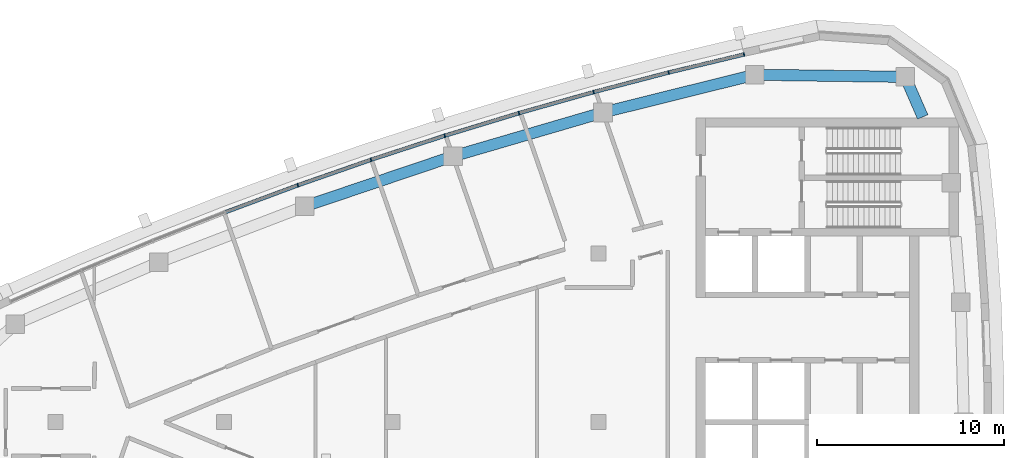
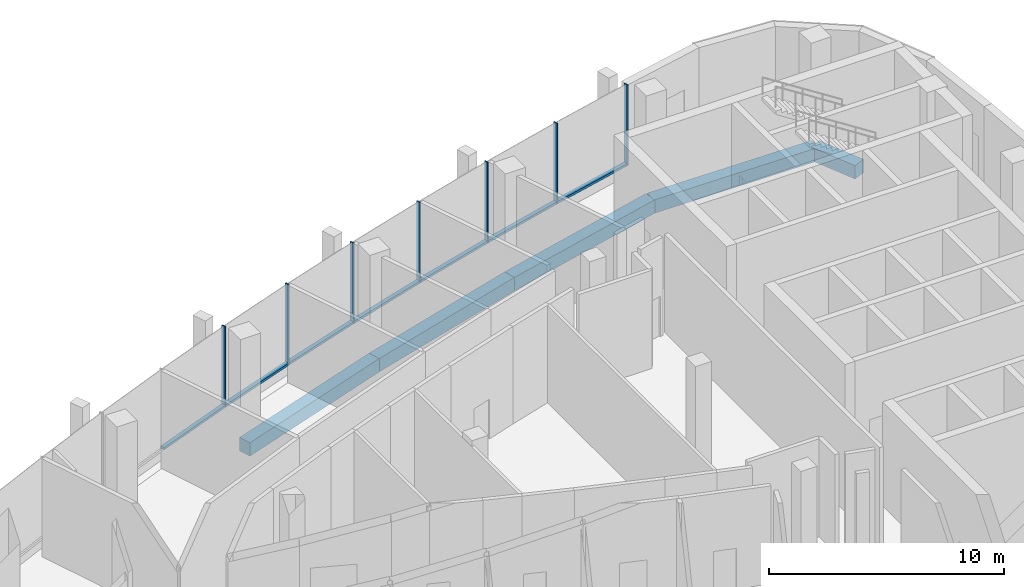
# One storey, part 5 of 15: 14 members, 5 beams, 4 elements without a shape of their own.
"""IFC4 building model written with IfcOpenShell, lengths in metres."""

from ifc_helpers import new_model, si_unit, direction, frame, origin, origin_2d, place, context, subcontext, project, spatial, rectangle, extrude, material, layer, layer_set, material_profile, profile_set, type_object, element, aggregate, save


model = new_model("IFC4")

# Units and contexts
model_context = context("Model", 3, precision=1e-05, world=origin(), true_north=direction((0.0, 1.0)))
body_context = subcontext(model_context, "Body", "Model", "MODEL_VIEW")
ifc_project = project(units=[si_unit("LENGTHUNIT", "METRE"), si_unit("AREAUNIT", "SQUARE_METRE"), si_unit("VOLUMEUNIT", "CUBIC_METRE"), si_unit("PLANEANGLEUNIT", "RADIAN"), si_unit("MASSUNIT", "GRAM", prefix="KILO")], contexts=[model_context])

# Site, building, storey
site_placement = place(None, origin())
site = spatial("IfcSite", under=ifc_project, at=site_placement, CompositionType="ELEMENT")
building_placement = place(site_placement, origin())
building = spatial("IfcBuilding", under=site, at=building_placement, Name="Ostrand Prow Hotel Tower", CompositionType="ELEMENT")
storey_placement = place(building_placement, frame((0.0, 0.0, 313.199951171875)))
storey = spatial("IfcBuildingStorey", under=building, at=storey_placement, Name="C2", CompositionType="ELEMENT", Elevation=313.199951171875)

# Beams
ifc_material_1 = material(Name="Concrete C40/50", Category="concrete")
ifc_material_profile_1 = material_profile(ifc_material_1, rectangle(XDim=0.60009765625, YDim=0.699951171875, at=origin_2d()), Name="RC 600x700")
ifc_profile_set_1 = profile_set([ifc_material_profile_1], Name="Concrete C40/50")
beam_type = type_object("IfcBeamType", Name="Edge beam 600x700 C40/50", PredefinedType="SPANDREL", material=ifc_profile_set_1)
beam_1_placement = place(storey_placement, frame((62.304931640625, 16.300048828125, -0.64990234375), z_axis=(-0.398863844187, 0.91701016014, 0.0), x_axis=(-0.91701016014, -0.398863844187, 0.0)))
element("IfcBeam", 1, at=beam_1_placement, inside=storey, type_object=beam_type, Name="Edge beam B5-NE", PredefinedType="SPANDREL", context=body_context, shape_type="SweptSolid", body=[
    extrude(rectangle(XDim=0.60009765625, YDim=0.699951171875, at=origin_2d()), origin(), (0.0, 0.0, 1.0), 2.333251953125),
])
beam_2_placement = place(storey_placement, frame((61.374267578125, 18.439697265625, -0.64990234375), z_axis=(-0.999900689486, 0.014092947356, 0.0), x_axis=(-0.014092947356, -0.999900689486, 0.0)))
element("IfcBeam", 2, at=beam_2_placement, inside=storey, type_object=beam_type, Name="Edge beam NE-N1", PredefinedType="SPANDREL", context=body_context, shape_type="SweptSolid", body=[
    extrude(rectangle(XDim=0.60009765625, YDim=0.699951171875, at=origin_2d()), origin(), (0.0, 0.0, 1.0), 8.0380859375),
])
for number, where, z_axis, x_axis, name in (
    (3, (53.3369140625, 18.552978515625, -0.64990234375), (-0.970456465292, -0.241276291775, 0.0), (0.241276291775, -0.970456465292, 0.0), "Edge beam N1-N2"),
    (4, (45.234619140625, 16.53857421875, -0.64990234375), (-0.959821966031, -0.280609681809, 0.0), (0.280609681809, -0.959821966031, 0.0), "Edge beam N2-N3"),
    (5, (37.22119140625, 14.19580078125, -0.64990234375), (-0.947575089419, -0.319533174981, 0.0), (0.319533174981, -0.947575089419, 0.0), "Edge beam N3-N4"),
):
    element("IfcBeam", number, at=place(storey_placement, frame(where, z_axis=z_axis, x_axis=x_axis)), inside=storey, type_object=beam_type, Name=name, PredefinedType="SPANDREL", context=body_context, shape_type="SweptSolid", body=[
        extrude(rectangle(XDim=0.60009765625, YDim=0.699951171875, at=origin_2d()), origin(), (0.0, 0.0, 1.0), 8.348876953125),
    ])

# Curtain wall, members
ifc_material_2 = material(Name="Insulated glass in bronze anodised frame", Category="glass")
ifc_layer = layer(ifc_material_2, 0.199951171875)
ifc_layer_set = layer_set([ifc_layer], Name="Insulated glass in bronze anodised frame")
curtain_wall_type = type_object("IfcCurtainWallType", Name="Observation and restaurant glazing wall", PredefinedType="NOTDEFINED", material=ifc_layer_set)
curtain_wall_1_placement = place(storey_placement, origin())
curtain_wall_1 = element("IfcCurtainWall", 6, at=curtain_wall_1_placement, inside=storey, type_object=curtain_wall_type, Name="CW6 run CWN1", PredefinedType="NOTDEFINED")
ifc_material_3 = material(Name="Bronze anodised aluminium", Category="aluminium")
ifc_material_profile_2 = material_profile(ifc_material_3, rectangle(XDim=0.199951171875, YDim=0.06005859375, at=origin_2d()), Name="Mullion 60x200 bronze anodised aluminium")
ifc_profile_set_2 = profile_set([ifc_material_profile_2], Name="Bronze anodised aluminium")
member_type_1 = type_object("IfcMemberType", Name="Mullion 60x200 bronze anodised aluminium", PredefinedType="MULLION", material=ifc_profile_set_2)
member_1_placement = place(storey_placement, frame((52.7607421875, 19.634521484375, 0.900146484375), z_axis=(0.0, 0.0, 1.0), x_axis=(0.232746096028, -0.972537533869, 0.0)))
member_1 = element("IfcMember", 7, at=member_1_placement, type_object=member_type_1, Name="CW6 mullion 1", PredefinedType="MULLION", context=body_context, shape_type="SweptSolid", body=[
    extrude(rectangle(XDim=0.199951171875, YDim=0.06005859375, at=origin_2d()), origin(), (0.0, 0.0, 1.0), 4.199951171875),
])
member_2_placement = place(storey_placement, frame((48.734619140625, 18.6708984375, 0.900146484375), z_axis=(0.0, 0.0, 1.0), x_axis=(0.252248384867, -0.967662519855, 0.0)))
member_2 = element("IfcMember", 8, at=member_2_placement, type_object=member_type_1, Name="CW6 mullion 2", PredefinedType="MULLION", context=body_context, shape_type="SweptSolid", body=[
    extrude(rectangle(XDim=0.199951171875, YDim=0.06005859375, at=origin_2d()), origin(), (0.0, 0.0, 1.0), 4.199951171875),
])
member_3_placement = place(storey_placement, frame((44.728515625, 17.626708984375, 0.900146484375), z_axis=(0.0, 0.0, 1.0), x_axis=(0.252248384867, -0.967662519855, 0.0)))
member_3 = element("IfcMember", 9, at=member_3_placement, type_object=member_type_1, Name="CW6 mullion 3", PredefinedType="MULLION", context=body_context, shape_type="SweptSolid", body=[
    extrude(rectangle(XDim=0.199951171875, YDim=0.06005859375, at=origin_2d()), origin(), (0.0, 0.0, 1.0), 4.199951171875),
])

curtain_wall_2_placement = place(storey_placement, origin())
curtain_wall_2 = element("IfcCurtainWall", 10, at=curtain_wall_2_placement, inside=storey, type_object=curtain_wall_type, Name="CW6 run CWN2", PredefinedType="NOTDEFINED")
member_4_placement = place(storey_placement, frame((40.744384765625, 16.502197265625, 0.900146484375), z_axis=(0.0, 0.0, 1.0), x_axis=(0.290937648411, -0.956742015769, 0.0)))
member_4 = element("IfcMember", 11, at=member_4_placement, type_object=member_type_1, Name="CW6 mullion 2", PredefinedType="MULLION", context=body_context, shape_type="SweptSolid", body=[
    extrude(rectangle(XDim=0.199951171875, YDim=0.06005859375, at=origin_2d()), origin(), (0.0, 0.0, 1.0), 4.199951171875),
])
member_5_placement = place(storey_placement, frame((36.78369140625, 15.297607421875, 0.900146484375), z_axis=(0.0, 0.0, 1.0), x_axis=(0.290937648411, -0.956742015769, 0.0)))
member_5 = element("IfcMember", 12, at=member_5_placement, type_object=member_type_1, Name="CW6 mullion 3", PredefinedType="MULLION", context=body_context, shape_type="SweptSolid", body=[
    extrude(rectangle(XDim=0.199951171875, YDim=0.06005859375, at=origin_2d()), origin(), (0.0, 0.0, 1.0), 4.199951171875),
])

curtain_wall_3_placement = place(storey_placement, origin())
curtain_wall_3 = element("IfcCurtainWall", 13, at=curtain_wall_3_placement, inside=storey, type_object=curtain_wall_type, Name="CW6 run CWN3", PredefinedType="NOTDEFINED")
member_6_placement = place(storey_placement, frame((32.84814453125, 14.013916015625, 0.900146484375), z_axis=(0.0, 0.0, 1.0), x_axis=(0.329158370885, -0.944274730614, 0.0)))
member_6 = element("IfcMember", 14, at=member_6_placement, type_object=member_type_1, Name="CW6 mullion 2", PredefinedType="MULLION", context=body_context, shape_type="SweptSolid", body=[
    extrude(rectangle(XDim=0.199951171875, YDim=0.06005859375, at=origin_2d()), origin(), (0.0, 0.0, 1.0), 4.199951171875),
])
member_7_placement = place(storey_placement, frame((28.93896484375, 12.6513671875, 0.900146484375), z_axis=(0.0, 0.0, 1.0), x_axis=(0.329158370885, -0.944274730614, 0.0)))
member_7 = element("IfcMember", 15, at=member_7_placement, type_object=member_type_1, Name="CW6 mullion 3", PredefinedType="MULLION", context=body_context, shape_type="SweptSolid", body=[
    extrude(rectangle(XDim=0.199951171875, YDim=0.06005859375, at=origin_2d()), origin(), (0.0, 0.0, 1.0), 4.199951171875),
])

# Member
ifc_material_4 = material(Name="Bronze anodised aluminium", Category="aluminium")
ifc_material_profile_3 = material_profile(ifc_material_4, rectangle(XDim=0.199951171875, YDim=0.1201171875, at=origin_2d()), Name="Transom 120x200 bronze anodised aluminium")
ifc_profile_set_3 = profile_set([ifc_material_profile_3], Name="Bronze anodised aluminium")
member_type_2 = type_object("IfcMemberType", Name="Transom 120x200 bronze anodised aluminium", PredefinedType="USERDEFINED", material=ifc_profile_set_3)
member_8_placement = place(storey_placement, frame((52.7314453125, 19.62744140625, 0.9599609375), z_axis=(-0.972542980558, -0.232723335675, 0.0), x_axis=(0.232723335675, -0.972542980558, 0.0)))
member_8 = element("IfcMember", 16, at=member_8_placement, type_object=member_type_2, Name="CW6 transom 1.1", ObjectType="TRANSOM", PredefinedType="USERDEFINED", context=body_context, shape_type="SweptSolid", body=[
    extrude(rectangle(XDim=0.199951171875, YDim=0.1201171875, at=origin_2d()), origin(), (0.0, 0.0, 1.0), 4.079833984375),
])

member_9_placement = place(storey_placement, frame((48.70556640625, 18.663330078125, 0.9599609375), z_axis=(-0.967664917891, -0.252239185461, 0.0), x_axis=(0.252239185461, -0.967664917891, 0.0)))
member_9 = element("IfcMember", 17, at=member_9_placement, type_object=member_type_2, Name="CW6 transom 2.1", ObjectType="TRANSOM", PredefinedType="USERDEFINED", context=body_context, shape_type="SweptSolid", body=[
    extrude(rectangle(XDim=0.199951171875, YDim=0.1201171875, at=origin_2d()), origin(), (0.0, 0.0, 1.0), 4.07958984375),
])

aggregate(curtain_wall_1, [member_1, member_2, member_3, member_8, member_9])

member_10_placement = place(storey_placement, frame((44.69970703125, 17.61865234375, 0.9599609375), z_axis=(-0.962386308628, -0.271684730828, 0.0), x_axis=(0.271684730828, -0.962386308628, 0.0)))
member_10 = element("IfcMember", 18, at=member_10_placement, type_object=member_type_2, Name="CW6 transom 1.1", ObjectType="TRANSOM", PredefinedType="USERDEFINED", context=body_context, shape_type="SweptSolid", body=[
    extrude(rectangle(XDim=0.199951171875, YDim=0.1201171875, at=origin_2d()), origin(), (0.0, 0.0, 1.0), 4.079833984375),
])

member_11_placement = place(storey_placement, frame((40.7158203125, 16.493408203125, 0.9599609375), z_axis=(-0.956739081124, -0.290947298751, 0.0), x_axis=(0.290947298751, -0.956739081124, 0.0)))
member_11 = element("IfcMember", 19, at=member_11_placement, type_object=member_type_2, Name="CW6 transom 2.1", ObjectType="TRANSOM", PredefinedType="USERDEFINED", context=body_context, shape_type="SweptSolid", body=[
    extrude(rectangle(XDim=0.199951171875, YDim=0.1201171875, at=origin_2d()), origin(), (0.0, 0.0, 1.0), 4.079833984375),
])

aggregate(curtain_wall_2, [member_4, member_5, member_10, member_11])

member_12_placement = place(storey_placement, frame((36.75537109375, 15.288330078125, 0.9599609375), z_axis=(-0.950704145978, -0.310099382165, 0.0), x_axis=(0.310099382165, -0.950704145978, 0.0)))
member_12 = element("IfcMember", 20, at=member_12_placement, type_object=member_type_2, Name="CW6 transom 1.1", ObjectType="TRANSOM", PredefinedType="USERDEFINED", context=body_context, shape_type="SweptSolid", body=[
    extrude(rectangle(XDim=0.199951171875, YDim=0.1201171875, at=origin_2d()), origin(), (0.0, 0.0, 1.0), 4.079833984375),
])

member_13_placement = place(storey_placement, frame((32.81982421875, 14.004150390625, 0.9599609375), z_axis=(-0.944268108385, -0.329177367822, 0.0), x_axis=(0.329177367822, -0.944268108385, 0.0)))
member_13 = element("IfcMember", 21, at=member_13_placement, type_object=member_type_2, Name="CW6 transom 2.1", ObjectType="TRANSOM", PredefinedType="USERDEFINED", context=body_context, shape_type="SweptSolid", body=[
    extrude(rectangle(XDim=0.199951171875, YDim=0.1201171875, at=origin_2d()), origin(), (0.0, 0.0, 1.0), 4.079833984375),
])

aggregate(curtain_wall_3, [member_6, member_7, member_12, member_13])

# Curtain wall, member
curtain_wall_4_placement = place(storey_placement, origin())
curtain_wall_4 = element("IfcCurtainWall", 22, at=curtain_wall_4_placement, inside=storey, type_object=curtain_wall_type, Name="CW6 run CWN4", PredefinedType="NOTDEFINED")
member_14_placement = place(storey_placement, frame((28.910888671875, 12.640869140625, 0.9599609375), z_axis=(-0.937460424566, -0.348091873465, 0.0), x_axis=(0.348091873465, -0.937460424566, 0.0)))
member_14 = element("IfcMember", 23, at=member_14_placement, type_object=member_type_2, Name="CW6 transom 1.1", ObjectType="TRANSOM", PredefinedType="USERDEFINED", context=body_context, shape_type="SweptSolid", body=[
    extrude(rectangle(XDim=0.199951171875, YDim=0.1201171875, at=origin_2d()), origin(), (0.0, 0.0, 1.0), 4.079833984375),
])
aggregate(curtain_wall_4, [member_14])

save(model, "model.ifc")
